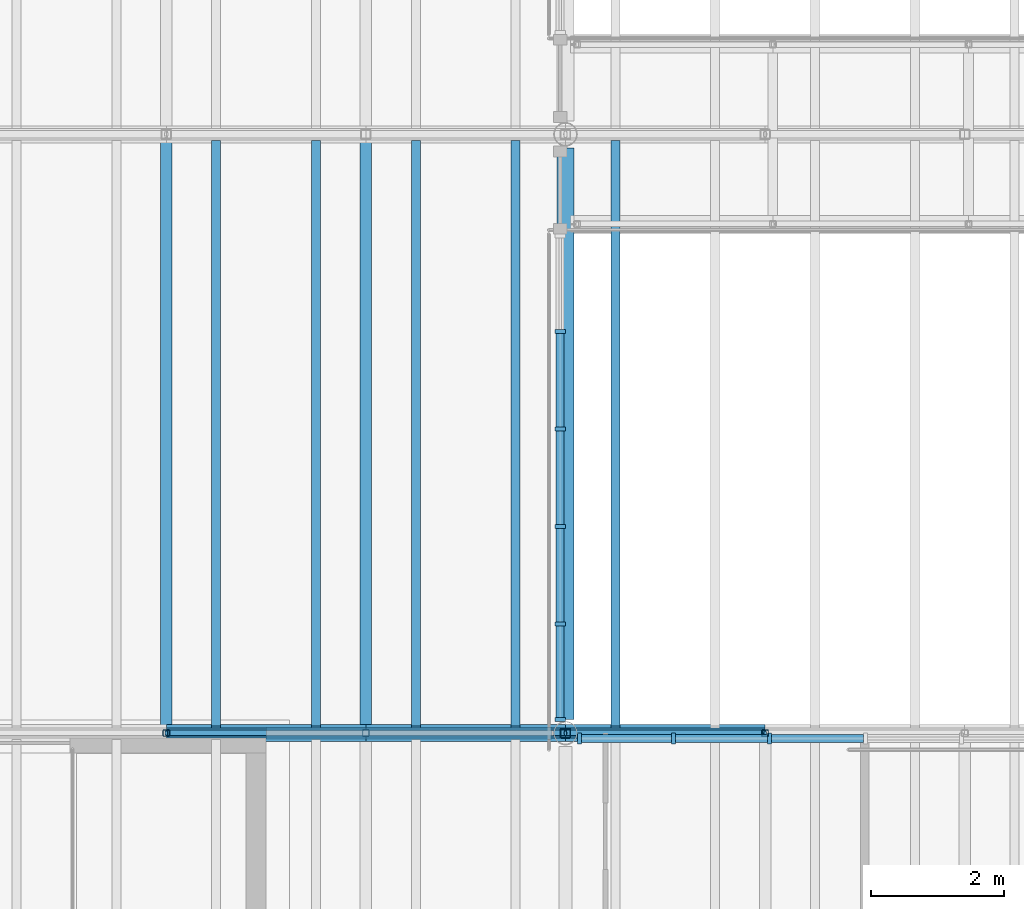
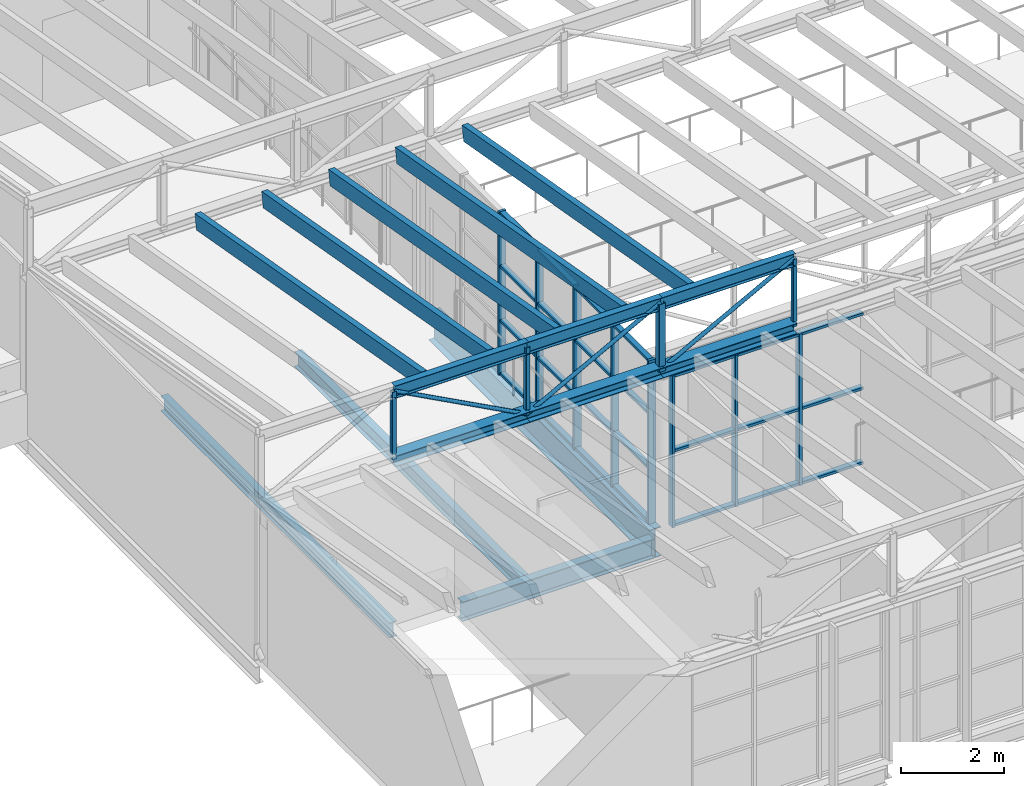
# One storey, part 8 of 44: 51 members, 4 beams, 2 elements without a shape of their own.
"""IFC4 building model written with IfcOpenShell, lengths in metres."""

from ifc_helpers import new_model, si_unit, direction, frame, origin, origin_2d, place, context, subcontext, project, spatial, rectangle, hollow_rectangle, hollow_circle, i_section, extrude, material, layer, layer_set, material_profile, profile_set, type_object, element, aggregate, save


model = new_model("IFC4")

# Units and contexts
model_context = context("Model", 3, precision=1e-05, world=origin(), true_north=direction((0.0, 1.0)))
body_context = subcontext(model_context, "Body", "Model", "MODEL_VIEW")
ifc_project = project(units=[si_unit("LENGTHUNIT", "METRE"), si_unit("AREAUNIT", "SQUARE_METRE"), si_unit("VOLUMEUNIT", "CUBIC_METRE"), si_unit("PLANEANGLEUNIT", "RADIAN"), si_unit("MASSUNIT", "GRAM", prefix="KILO")], contexts=[model_context])

# Site, building, storey
site_placement = place(None, origin())
site = spatial("IfcSite", under=ifc_project, at=site_placement, CompositionType="ELEMENT")
building_placement = place(site_placement, origin())
building = spatial("IfcBuilding", under=site, at=building_placement, Name="Halyard Row Museum", CompositionType="ELEMENT")
storey_placement = place(building_placement, frame((0.0, 0.0, 21.199951171875)))
storey = spatial("IfcBuildingStorey", under=building, at=storey_placement, Name="L04", CompositionType="ELEMENT", Elevation=21.199951171875)

# Beam
ifc_material_1 = material(Name="Steel Grade 300", Category="steel")
ifc_material_profile_1 = material_profile(ifc_material_1, i_section(OverallWidth=0.25, OverallDepth=0.699951171875, WebThickness=0.010009765625, FlangeThickness=0.02001953125, at=origin_2d()), Name="700WB130")
ifc_profile_set_1 = profile_set([ifc_material_profile_1], Name="Steel Grade 300")
beam_type_1 = type_object("IfcBeamType", Name="Bearing beam 700WB130", PredefinedType="BEAM", material=ifc_profile_set_1)
beam_1_placement = place(storey_placement, frame((81.0, 9.203125, -0.514892578125), z_axis=(0.0, 1.0, 0.0), x_axis=(-1.0, 0.0, 0.0)))
element("IfcBeam", 1, at=beam_1_placement, inside=storey, type_object=beam_type_1, Name="Beam L04-022", PredefinedType="BEAM", context=body_context, shape_type="SweptSolid", body=[
    extrude(i_section(OverallWidth=0.25, OverallDepth=0.699951171875, WebThickness=0.010009765625, FlangeThickness=0.02001953125, at=origin_2d()), origin(), (0.0, 0.0, 1.0), 8.59375),
])

# Curtain wall, members
ifc_material_2 = material(Name="Fire-resisting laminated glazing", Category="glass")
ifc_layer = layer(ifc_material_2, 0.159912109375)
ifc_layer_set = layer_set([ifc_layer], Name="Fire-resisting laminated glazing")
curtain_wall_type = type_object("IfcCurtainWallType", Name="Curtain wall atrium screen 160 deep", PredefinedType="NOTDEFINED", material=ifc_layer_set)
curtain_wall_1_placement = place(storey_placement, origin())
curtain_wall_1 = element("IfcCurtainWall", 2, at=curtain_wall_1_placement, inside=storey, type_object=curtain_wall_type, Name="Curtain wall CW102", PredefinedType="NOTDEFINED")
ifc_material_3 = material(Name="Powder-coated aluminium section", Category="aluminium")
ifc_material_profile_2 = material_profile(ifc_material_3, rectangle(XDim=0.159912109375, YDim=0.06005859375, at=origin_2d()), Name="160x60 mullion")
ifc_profile_set_2 = profile_set([ifc_material_profile_2], Name="Powder-coated aluminium section")
member_type_1 = type_object("IfcMemberType", Name="Curtain wall mullion CM5 60 x 160", PredefinedType="MULLION", material=ifc_profile_set_2)
member_1_placement = place(storey_placement, frame((81.207763671875, 8.919921875, 0.0), z_axis=(0.0, 0.0, 1.0), x_axis=(0.0, 1.0, 0.0)))
member_1 = element("IfcMember", 3, at=member_1_placement, type_object=member_type_1, Name="CW102 mullion 1", PredefinedType="MULLION", context=body_context, shape_type="SweptSolid", body=[
    extrude(rectangle(XDim=0.159912109375, YDim=0.06005859375, at=origin_2d()), origin(), (0.0, 0.0, 1.0), 3.60009765625),
])
member_2_placement = place(storey_placement, frame((82.62109375, 8.919921875, 0.0), z_axis=(0.0, 0.0, 1.0), x_axis=(0.0, 1.0, 0.0)))
member_2 = element("IfcMember", 4, at=member_2_placement, type_object=member_type_1, Name="CW102 mullion 2", PredefinedType="MULLION", context=body_context, shape_type="SweptSolid", body=[
    extrude(rectangle(XDim=0.159912109375, YDim=0.06005859375, at=origin_2d()), origin(), (0.0, 0.0, 1.0), 3.60009765625),
])
member_3_placement = place(storey_placement, frame((84.064453125, 8.919921875, 0.0), z_axis=(0.0, 0.0, 1.0), x_axis=(0.0, 1.0, 0.0)))
member_3 = element("IfcMember", 5, at=member_3_placement, type_object=member_type_1, Name="CW102 mullion 3", PredefinedType="MULLION", context=body_context, shape_type="SweptSolid", body=[
    extrude(rectangle(XDim=0.159912109375, YDim=0.06005859375, at=origin_2d()), origin(), (0.0, 0.0, 1.0), 3.60009765625),
])

curtain_wall_2_placement = place(storey_placement, origin())
curtain_wall_2 = element("IfcCurtainWall", 6, at=curtain_wall_2_placement, inside=storey, type_object=curtain_wall_type, Name="Curtain wall CW109", PredefinedType="NOTDEFINED")
member_4_placement = place(storey_placement, frame((80.919921875, 15.03564453125, 0.0), z_axis=(0.0, 0.0, 1.0), x_axis=(1.0, 0.0, 0.0)))
member_4 = element("IfcMember", 7, at=member_4_placement, type_object=member_type_1, Name="CW109 mullion 2", PredefinedType="MULLION", context=body_context, shape_type="SweptSolid", body=[
    extrude(rectangle(XDim=0.159912109375, YDim=0.06005859375, at=origin_2d()), origin(), (0.0, 0.0, 1.0), 3.878173828125),
])
member_5_placement = place(storey_placement, frame((80.919921875, 13.571044921875, 0.0), z_axis=(0.0, 0.0, 1.0), x_axis=(1.0, 0.0, 0.0)))
member_5 = element("IfcMember", 8, at=member_5_placement, type_object=member_type_1, Name="CW109 mullion 3", PredefinedType="MULLION", context=body_context, shape_type="SweptSolid", body=[
    extrude(rectangle(XDim=0.159912109375, YDim=0.06005859375, at=origin_2d()), origin(), (0.0, 0.0, 1.0), 3.878173828125),
])
member_6_placement = place(storey_placement, frame((80.919921875, 12.106689453125, 0.0), z_axis=(0.0, 0.0, 1.0), x_axis=(1.0, 0.0, 0.0)))
member_6 = element("IfcMember", 9, at=member_6_placement, type_object=member_type_1, Name="CW109 mullion 4", PredefinedType="MULLION", context=body_context, shape_type="SweptSolid", body=[
    extrude(rectangle(XDim=0.159912109375, YDim=0.06005859375, at=origin_2d()), origin(), (0.0, 0.0, 1.0), 3.878173828125),
])
member_7_placement = place(storey_placement, frame((80.919921875, 10.642333984375, 0.0), z_axis=(0.0, 0.0, 1.0), x_axis=(1.0, 0.0, 0.0)))
member_7 = element("IfcMember", 10, at=member_7_placement, type_object=member_type_1, Name="CW109 mullion 5", PredefinedType="MULLION", context=body_context, shape_type="SweptSolid", body=[
    extrude(rectangle(XDim=0.159912109375, YDim=0.06005859375, at=origin_2d()), origin(), (0.0, 0.0, 1.0), 3.878173828125),
])
member_8_placement = place(storey_placement, frame((80.919921875, 9.207763671875, 0.0), z_axis=(0.0, 0.0, 1.0), x_axis=(1.0, 0.0, 0.0)))
member_8 = element("IfcMember", 11, at=member_8_placement, type_object=member_type_1, Name="CW109 mullion 6", PredefinedType="MULLION", context=body_context, shape_type="SweptSolid", body=[
    extrude(rectangle(XDim=0.159912109375, YDim=0.06005859375, at=origin_2d()), origin(), (0.0, 0.0, 1.0), 3.878173828125),
])

# Member
ifc_material_4 = material(Name="Powder-coated aluminium section", Category="aluminium")
ifc_material_profile_3 = material_profile(ifc_material_4, rectangle(XDim=0.1201171875, YDim=0.06005859375, at=origin_2d()), Name="120x60 transom")
ifc_profile_set_3 = profile_set([ifc_material_profile_3], Name="Powder-coated aluminium section")
member_type_2 = type_object("IfcMemberType", Name="Curtain wall transom CT5 60 x 120", PredefinedType="USERDEFINED", material=ifc_profile_set_3)
member_9_placement = place(storey_placement, frame((81.23779296875, 8.919921875, 0.030029296875), z_axis=(1.0, 0.0, 0.0), x_axis=(0.0, 1.0, 0.0)))
member_9 = element("IfcMember", 12, at=member_9_placement, type_object=member_type_2, Name="CW102 transom 1.1", ObjectType="TRANSOM", PredefinedType="USERDEFINED", context=body_context, shape_type="SweptSolid", body=[
    extrude(rectangle(XDim=0.1201171875, YDim=0.06005859375, at=origin_2d()), origin(), (0.0, 0.0, 1.0), 1.353271484375),
])

member_10_placement = place(storey_placement, frame((81.23779296875, 8.919921875, 1.800048828125), z_axis=(1.0, 0.0, 0.0), x_axis=(0.0, 1.0, 0.0)))
member_10 = element("IfcMember", 13, at=member_10_placement, type_object=member_type_2, Name="CW102 transom 1.2", ObjectType="TRANSOM", PredefinedType="USERDEFINED", context=body_context, shape_type="SweptSolid", body=[
    extrude(rectangle(XDim=0.1201171875, YDim=0.06005859375, at=origin_2d()), origin(), (0.0, 0.0, 1.0), 1.353271484375),
])

member_11_placement = place(storey_placement, frame((81.23779296875, 8.919921875, 3.570068359375), z_axis=(1.0, 0.0, 0.0), x_axis=(0.0, 1.0, 0.0)))
member_11 = element("IfcMember", 14, at=member_11_placement, type_object=member_type_2, Name="CW102 transom 1.3", ObjectType="TRANSOM", PredefinedType="USERDEFINED", context=body_context, shape_type="SweptSolid", body=[
    extrude(rectangle(XDim=0.1201171875, YDim=0.06005859375, at=origin_2d()), origin(), (0.0, 0.0, 1.0), 1.353271484375),
])

member_12_placement = place(storey_placement, frame((82.651123046875, 8.919921875, 0.030029296875), z_axis=(1.0, 0.0, 0.0), x_axis=(0.0, 1.0, 0.0)))
member_12 = element("IfcMember", 15, at=member_12_placement, type_object=member_type_2, Name="CW102 transom 2.1", ObjectType="TRANSOM", PredefinedType="USERDEFINED", context=body_context, shape_type="SweptSolid", body=[
    extrude(rectangle(XDim=0.1201171875, YDim=0.06005859375, at=origin_2d()), origin(), (0.0, 0.0, 1.0), 1.383544921875),
])

member_13_placement = place(storey_placement, frame((82.651123046875, 8.919921875, 1.800048828125), z_axis=(1.0, 0.0, 0.0), x_axis=(0.0, 1.0, 0.0)))
member_13 = element("IfcMember", 16, at=member_13_placement, type_object=member_type_2, Name="CW102 transom 2.2", ObjectType="TRANSOM", PredefinedType="USERDEFINED", context=body_context, shape_type="SweptSolid", body=[
    extrude(rectangle(XDim=0.1201171875, YDim=0.06005859375, at=origin_2d()), origin(), (0.0, 0.0, 1.0), 1.383544921875),
])

member_14_placement = place(storey_placement, frame((82.651123046875, 8.919921875, 3.570068359375), z_axis=(1.0, 0.0, 0.0), x_axis=(0.0, 1.0, 0.0)))
member_14 = element("IfcMember", 17, at=member_14_placement, type_object=member_type_2, Name="CW102 transom 2.3", ObjectType="TRANSOM", PredefinedType="USERDEFINED", context=body_context, shape_type="SweptSolid", body=[
    extrude(rectangle(XDim=0.1201171875, YDim=0.06005859375, at=origin_2d()), origin(), (0.0, 0.0, 1.0), 1.383544921875),
])

member_15_placement = place(storey_placement, frame((84.094482421875, 8.919921875, 0.030029296875), z_axis=(1.0, 0.0, 0.0), x_axis=(0.0, 1.0, 0.0)))
member_15 = element("IfcMember", 18, at=member_15_placement, type_object=member_type_2, Name="CW102 transom 3.1", ObjectType="TRANSOM", PredefinedType="USERDEFINED", context=body_context, shape_type="SweptSolid", body=[
    extrude(rectangle(XDim=0.1201171875, YDim=0.06005859375, at=origin_2d()), origin(), (0.0, 0.0, 1.0), 1.383544921875),
])

member_16_placement = place(storey_placement, frame((84.094482421875, 8.919921875, 1.800048828125), z_axis=(1.0, 0.0, 0.0), x_axis=(0.0, 1.0, 0.0)))
member_16 = element("IfcMember", 19, at=member_16_placement, type_object=member_type_2, Name="CW102 transom 3.2", ObjectType="TRANSOM", PredefinedType="USERDEFINED", context=body_context, shape_type="SweptSolid", body=[
    extrude(rectangle(XDim=0.1201171875, YDim=0.06005859375, at=origin_2d()), origin(), (0.0, 0.0, 1.0), 1.383544921875),
])

member_17_placement = place(storey_placement, frame((84.094482421875, 8.919921875, 3.570068359375), z_axis=(1.0, 0.0, 0.0), x_axis=(0.0, 1.0, 0.0)))
member_17 = element("IfcMember", 20, at=member_17_placement, type_object=member_type_2, Name="CW102 transom 3.3", ObjectType="TRANSOM", PredefinedType="USERDEFINED", context=body_context, shape_type="SweptSolid", body=[
    extrude(rectangle(XDim=0.1201171875, YDim=0.06005859375, at=origin_2d()), origin(), (0.0, 0.0, 1.0), 1.383544921875),
])

aggregate(curtain_wall_1, [member_1, member_2, member_3, member_9, member_10, member_11, member_12, member_13, member_14, member_15, member_16, member_17])

member_18_placement = place(storey_placement, frame((80.919921875, 15.005615234375, 0.030029296875), z_axis=(0.0, -1.0, 0.0), x_axis=(1.0, 0.0, 0.0)))
member_18 = element("IfcMember", 21, at=member_18_placement, type_object=member_type_2, Name="CW109 transom 2.1", ObjectType="TRANSOM", PredefinedType="USERDEFINED", context=body_context, shape_type="SweptSolid", body=[
    extrude(rectangle(XDim=0.1201171875, YDim=0.06005859375, at=origin_2d()), origin(), (0.0, 0.0, 1.0), 1.404541015625),
])

member_19_placement = place(storey_placement, frame((80.919921875, 15.005615234375, 1.292724609375), z_axis=(0.0, -1.0, 0.0), x_axis=(1.0, 0.0, 0.0)))
member_19 = element("IfcMember", 22, at=member_19_placement, type_object=member_type_2, Name="CW109 transom 2.2", ObjectType="TRANSOM", PredefinedType="USERDEFINED", context=body_context, shape_type="SweptSolid", body=[
    extrude(rectangle(XDim=0.1201171875, YDim=0.06005859375, at=origin_2d()), origin(), (0.0, 0.0, 1.0), 1.404541015625),
])

member_20_placement = place(storey_placement, frame((80.919921875, 15.005615234375, 2.58544921875), z_axis=(0.0, -1.0, 0.0), x_axis=(1.0, 0.0, 0.0)))
member_20 = element("IfcMember", 23, at=member_20_placement, type_object=member_type_2, Name="CW109 transom 2.3", ObjectType="TRANSOM", PredefinedType="USERDEFINED", context=body_context, shape_type="SweptSolid", body=[
    extrude(rectangle(XDim=0.1201171875, YDim=0.06005859375, at=origin_2d()), origin(), (0.0, 0.0, 1.0), 1.404541015625),
])

member_21_placement = place(storey_placement, frame((80.919921875, 15.005615234375, 3.84814453125), z_axis=(0.0, -1.0, 0.0), x_axis=(1.0, 0.0, 0.0)))
member_21 = element("IfcMember", 24, at=member_21_placement, type_object=member_type_2, Name="CW109 transom 2.4", ObjectType="TRANSOM", PredefinedType="USERDEFINED", context=body_context, shape_type="SweptSolid", body=[
    extrude(rectangle(XDim=0.1201171875, YDim=0.06005859375, at=origin_2d()), origin(), (0.0, 0.0, 1.0), 1.404541015625),
])

member_22_placement = place(storey_placement, frame((80.919921875, 13.541015625, 0.030029296875), z_axis=(0.0, -1.0, 0.0), x_axis=(1.0, 0.0, 0.0)))
member_22 = element("IfcMember", 25, at=member_22_placement, type_object=member_type_2, Name="CW109 transom 3.1", ObjectType="TRANSOM", PredefinedType="USERDEFINED", context=body_context, shape_type="SweptSolid", body=[
    extrude(rectangle(XDim=0.1201171875, YDim=0.06005859375, at=origin_2d()), origin(), (0.0, 0.0, 1.0), 1.404296875),
])

member_23_placement = place(storey_placement, frame((80.919921875, 13.541015625, 1.292724609375), z_axis=(0.0, -1.0, 0.0), x_axis=(1.0, 0.0, 0.0)))
member_23 = element("IfcMember", 26, at=member_23_placement, type_object=member_type_2, Name="CW109 transom 3.2", ObjectType="TRANSOM", PredefinedType="USERDEFINED", context=body_context, shape_type="SweptSolid", body=[
    extrude(rectangle(XDim=0.1201171875, YDim=0.06005859375, at=origin_2d()), origin(), (0.0, 0.0, 1.0), 1.404296875),
])

member_24_placement = place(storey_placement, frame((80.919921875, 13.541015625, 2.58544921875), z_axis=(0.0, -1.0, 0.0), x_axis=(1.0, 0.0, 0.0)))
member_24 = element("IfcMember", 27, at=member_24_placement, type_object=member_type_2, Name="CW109 transom 3.3", ObjectType="TRANSOM", PredefinedType="USERDEFINED", context=body_context, shape_type="SweptSolid", body=[
    extrude(rectangle(XDim=0.1201171875, YDim=0.06005859375, at=origin_2d()), origin(), (0.0, 0.0, 1.0), 1.404296875),
])

member_25_placement = place(storey_placement, frame((80.919921875, 13.541015625, 3.84814453125), z_axis=(0.0, -1.0, 0.0), x_axis=(1.0, 0.0, 0.0)))
member_25 = element("IfcMember", 28, at=member_25_placement, type_object=member_type_2, Name="CW109 transom 3.4", ObjectType="TRANSOM", PredefinedType="USERDEFINED", context=body_context, shape_type="SweptSolid", body=[
    extrude(rectangle(XDim=0.1201171875, YDim=0.06005859375, at=origin_2d()), origin(), (0.0, 0.0, 1.0), 1.404296875),
])

member_26_placement = place(storey_placement, frame((80.919921875, 12.07666015625, 0.030029296875), z_axis=(0.0, -1.0, 0.0), x_axis=(1.0, 0.0, 0.0)))
member_26 = element("IfcMember", 29, at=member_26_placement, type_object=member_type_2, Name="CW109 transom 4.1", ObjectType="TRANSOM", PredefinedType="USERDEFINED", context=body_context, shape_type="SweptSolid", body=[
    extrude(rectangle(XDim=0.1201171875, YDim=0.06005859375, at=origin_2d()), origin(), (0.0, 0.0, 1.0), 1.404541015625),
])

member_27_placement = place(storey_placement, frame((80.919921875, 12.07666015625, 1.292724609375), z_axis=(0.0, -1.0, 0.0), x_axis=(1.0, 0.0, 0.0)))
member_27 = element("IfcMember", 30, at=member_27_placement, type_object=member_type_2, Name="CW109 transom 4.2", ObjectType="TRANSOM", PredefinedType="USERDEFINED", context=body_context, shape_type="SweptSolid", body=[
    extrude(rectangle(XDim=0.1201171875, YDim=0.06005859375, at=origin_2d()), origin(), (0.0, 0.0, 1.0), 1.404541015625),
])

member_28_placement = place(storey_placement, frame((80.919921875, 12.07666015625, 2.58544921875), z_axis=(0.0, -1.0, 0.0), x_axis=(1.0, 0.0, 0.0)))
member_28 = element("IfcMember", 31, at=member_28_placement, type_object=member_type_2, Name="CW109 transom 4.3", ObjectType="TRANSOM", PredefinedType="USERDEFINED", context=body_context, shape_type="SweptSolid", body=[
    extrude(rectangle(XDim=0.1201171875, YDim=0.06005859375, at=origin_2d()), origin(), (0.0, 0.0, 1.0), 1.404541015625),
])

member_29_placement = place(storey_placement, frame((80.919921875, 12.07666015625, 3.84814453125), z_axis=(0.0, -1.0, 0.0), x_axis=(1.0, 0.0, 0.0)))
member_29 = element("IfcMember", 32, at=member_29_placement, type_object=member_type_2, Name="CW109 transom 4.4", ObjectType="TRANSOM", PredefinedType="USERDEFINED", context=body_context, shape_type="SweptSolid", body=[
    extrude(rectangle(XDim=0.1201171875, YDim=0.06005859375, at=origin_2d()), origin(), (0.0, 0.0, 1.0), 1.404541015625),
])

member_30_placement = place(storey_placement, frame((80.919921875, 10.6123046875, 0.030029296875), z_axis=(0.0, -1.0, 0.0), x_axis=(1.0, 0.0, 0.0)))
member_30 = element("IfcMember", 33, at=member_30_placement, type_object=member_type_2, Name="CW109 transom 5.1", ObjectType="TRANSOM", PredefinedType="USERDEFINED", context=body_context, shape_type="SweptSolid", body=[
    extrude(rectangle(XDim=0.1201171875, YDim=0.06005859375, at=origin_2d()), origin(), (0.0, 0.0, 1.0), 1.37451171875),
])

member_31_placement = place(storey_placement, frame((80.919921875, 10.6123046875, 1.292724609375), z_axis=(0.0, -1.0, 0.0), x_axis=(1.0, 0.0, 0.0)))
member_31 = element("IfcMember", 34, at=member_31_placement, type_object=member_type_2, Name="CW109 transom 5.2", ObjectType="TRANSOM", PredefinedType="USERDEFINED", context=body_context, shape_type="SweptSolid", body=[
    extrude(rectangle(XDim=0.1201171875, YDim=0.06005859375, at=origin_2d()), origin(), (0.0, 0.0, 1.0), 1.37451171875),
])

member_32_placement = place(storey_placement, frame((80.919921875, 10.6123046875, 2.58544921875), z_axis=(0.0, -1.0, 0.0), x_axis=(1.0, 0.0, 0.0)))
member_32 = element("IfcMember", 35, at=member_32_placement, type_object=member_type_2, Name="CW109 transom 5.3", ObjectType="TRANSOM", PredefinedType="USERDEFINED", context=body_context, shape_type="SweptSolid", body=[
    extrude(rectangle(XDim=0.1201171875, YDim=0.06005859375, at=origin_2d()), origin(), (0.0, 0.0, 1.0), 1.37451171875),
])

member_33_placement = place(storey_placement, frame((80.919921875, 10.6123046875, 3.84814453125), z_axis=(0.0, -1.0, 0.0), x_axis=(1.0, 0.0, 0.0)))
member_33 = element("IfcMember", 36, at=member_33_placement, type_object=member_type_2, Name="CW109 transom 5.4", ObjectType="TRANSOM", PredefinedType="USERDEFINED", context=body_context, shape_type="SweptSolid", body=[
    extrude(rectangle(XDim=0.1201171875, YDim=0.06005859375, at=origin_2d()), origin(), (0.0, 0.0, 1.0), 1.37451171875),
])

aggregate(curtain_wall_2, [member_4, member_5, member_6, member_7, member_8, member_18, member_19, member_20, member_21, member_22, member_23, member_24, member_25, member_26, member_27, member_28, member_29, member_30, member_31, member_32, member_33])

# Beam
ifc_material_5 = material(Name="Steel Grade 300", Category="steel")
ifc_material_profile_4 = material_profile(ifc_material_5, i_section(OverallWidth=0.19091796875, OverallDepth=0.46044921875, WebThickness=0.010009765625, FlangeThickness=0.01611328125, FilletRadius=0.011474609375, at=origin_2d()), Name="460UB82.1")
ifc_profile_set_4 = profile_set([ifc_material_profile_4], Name="Steel Grade 300")
beam_type_2 = type_object("IfcBeamType", Name="Girder beam 460UB82.1", PredefinedType="BEAM", material=ifc_profile_set_4)
beam_2_placement = place(storey_placement, frame((76.5, 9.0, -0.395263671875), z_axis=(1.0, 0.0, 0.0), x_axis=(0.0, 1.0, 0.0)))
element("IfcBeam", 37, at=beam_2_placement, inside=storey, type_object=beam_type_2, Name="Beam L04-005", PredefinedType="BEAM", context=body_context, shape_type="SweptSolid", body=[
    extrude(i_section(OverallWidth=0.19091796875, OverallDepth=0.46044921875, WebThickness=0.010009765625, FlangeThickness=0.01611328125, FilletRadius=0.011474609375, at=origin_2d()), origin(), (0.0, 0.0, 1.0), 4.296875),
])

# Members
ifc_material_6 = material(Name="Glulam GL12 radiata pine", Category="wood")
ifc_material_profile_5 = material_profile(ifc_material_6, rectangle(XDim=0.135009765625, YDim=0.360107421875, at=origin_2d()), Name="GL12 135x360")
ifc_profile_set_5 = profile_set([ifc_material_profile_5], Name="Glulam GL12 radiata pine")
member_type_3 = type_object("IfcMemberType", Name="Rafter GL12 135x360", PredefinedType="RAFTER", material=ifc_profile_set_5)
for number, where, z_axis, x_axis, name in (
    (38, (75.75, 9.074462890625, 5.283935546875), (0.0, 0.984563554103, -0.17502744908), (-1.0, 0.0, 0.0), "Rafter V2-T2a.3"),
    (39, (77.25, 9.074462890625, 5.283935546875), (0.0, 0.984563554103, -0.17502744908), (-1.0, 0.0, 0.0), "Rafter V2-T2a.4"),
    (40, (78.75, 9.074462890625, 5.283935546875), (0.0, 0.984563554103, -0.17502744908), (-1.0, 0.0, 0.0), "Rafter V2-T2a.5"),
    (41, (80.25, 9.074462890625, 5.283935546875), (0.0, 0.984563554103, -0.17502744908), (-1.0, 0.0, 0.0), "Rafter V2-T2a.6"),
    (42, (81.75, 9.074462890625, 5.283935546875), (0.0, 0.984563554103, -0.17502744908), (-1.0, 0.0, 0.0), "Rafter V2-T2b.1"),
):
    element("IfcMember", number, at=place(storey_placement, frame(where, z_axis=z_axis, x_axis=x_axis)), inside=storey, type_object=member_type_3, Name=name, PredefinedType="RAFTER", context=body_context, shape_type="SweptSolid", body=[
        extrude(rectangle(XDim=0.135009765625, YDim=0.360107421875, at=origin_2d()), origin(), (0.0, 0.0, 1.0), 8.935546875),
    ])

# Beams
ifc_material_7 = material(Name="Steel Grade 300", Category="steel")
ifc_material_profile_6 = material_profile(ifc_material_7, i_section(OverallWidth=0.1708984375, OverallDepth=0.355712890625, WebThickness=0.00732421875, FlangeThickness=0.011474609375, FilletRadius=0.011474609375, at=origin_2d()), Name="360UB50.7")
ifc_profile_set_6 = profile_set([ifc_material_profile_6], Name="Steel Grade 300")
beam_type_3 = type_object("IfcBeamType", Name="Secondary beam 360UB50.7", PredefinedType="BEAM", material=ifc_profile_set_6)
beam_3_placement = place(storey_placement, frame((75.0, 9.0, -0.3427734375), z_axis=(0.0, 1.0, 0.0), x_axis=(-1.0, 0.0, 0.0)))
element("IfcBeam", 43, at=beam_3_placement, inside=storey, type_object=beam_type_3, Name="Beam L04-039", PredefinedType="BEAM", context=body_context, shape_type="SweptSolid", body=[
    extrude(i_section(OverallWidth=0.1708984375, OverallDepth=0.355712890625, WebThickness=0.00732421875, FlangeThickness=0.011474609375, FilletRadius=0.011474609375, at=origin_2d()), origin(), (0.0, 0.0, 1.0), 8.904541015625),
])
beam_4_placement = place(storey_placement, frame((78.0, 9.095458984375, -0.3427734375), z_axis=(0.0, 1.0, 0.0), x_axis=(-1.0, 0.0, 0.0)))
element("IfcBeam", 44, at=beam_4_placement, inside=storey, type_object=beam_type_3, Name="Beam L04-041", PredefinedType="BEAM", context=body_context, shape_type="SweptSolid", body=[
    extrude(i_section(OverallWidth=0.1708984375, OverallDepth=0.355712890625, WebThickness=0.00732421875, FlangeThickness=0.011474609375, FilletRadius=0.011474609375, at=origin_2d()), origin(), (0.0, 0.0, 1.0), 8.80908203125),
])

# Members
ifc_material_8 = material(Name="Steel Grade 300", Category="steel")
ifc_material_profile_7 = material_profile(ifc_material_8, i_section(OverallWidth=0.25390625, OverallDepth=0.25390625, WebThickness=0.008544921875, FlangeThickness=0.01416015625, FilletRadius=0.013916015625, at=origin_2d()), Name="250UC72.9")
ifc_profile_set_7 = profile_set([ifc_material_profile_7], Name="Steel Grade 300")
member_type_4 = type_object("IfcMemberType", Name="Valley truss bottom chord 250UC72.9", PredefinedType="CHORD", material=ifc_profile_set_7)
for number, where, z_axis, x_axis, name in (
    (45, (75.0, 9.0, 3.72705078125), (1.0, 0.0, 0.0), (0.0, 1.0, 0.0), "V2-VT2 bottom chord 1.2"),
    (46, (78.0, 9.0, 3.72705078125), (1.0, 0.0, 0.0), (0.0, 1.0, 0.0), "V2-VT2 bottom chord 1.3"),
    (47, (81.0, 9.0, 3.72705078125), (1.0, 0.0, 0.0), (0.0, 1.0, 0.0), "V2-VT2 bottom chord 2.1"),
):
    element("IfcMember", number, at=place(storey_placement, frame(where, z_axis=z_axis, x_axis=x_axis)), inside=storey, type_object=member_type_4, Name=name, PredefinedType="CHORD", context=body_context, shape_type="SweptSolid", body=[
        extrude(i_section(OverallWidth=0.25390625, OverallDepth=0.25390625, WebThickness=0.008544921875, FlangeThickness=0.01416015625, FilletRadius=0.013916015625, at=origin_2d()), origin(), (0.0, 0.0, 1.0), 3.0),
    ])
ifc_material_9 = material(Name="Steel Grade C250L0", Category="steel")
ifc_material_profile_8 = material_profile(ifc_material_9, hollow_circle(Radius=0.04443359375, WallThickness=0.0048828125, at=origin_2d()), Name="88.9x5.0CHS")
ifc_profile_set_8 = profile_set([ifc_material_profile_8], Name="Steel Grade C250L0")
member_type_5 = type_object("IfcMemberType", Name="Valley truss diagonal 88.9x5.0CHS", PredefinedType="BRACE", material=ifc_profile_set_8)
for number, where, z_axis, x_axis, name in (
    (48, (75.0, 9.0, 5.3310546875), (0.881863759518, 0.0, -0.471504305016), (0.0, 1.0, 0.0), "V2-VT2 diagonal 1.2"),
    (49, (78.0, 9.0, 3.72705078125), (0.881863759518, 0.0, 0.471504305016), (0.0, 1.0, 0.0), "V2-VT2 diagonal 1.3"),
    (50, (81.0, 9.0, 3.72705078125), (0.881863759518, 0.0, 0.471504305016), (0.0, 1.0, 0.0), "V2-VT2 diagonal 2.1"),
):
    element("IfcMember", number, at=place(storey_placement, frame(where, z_axis=z_axis, x_axis=x_axis)), inside=storey, type_object=member_type_5, Name=name, PredefinedType="BRACE", context=body_context, shape_type="SweptSolid", body=[
        extrude(hollow_circle(Radius=0.04443359375, WallThickness=0.0048828125, at=origin_2d()), origin(), (0.0, 0.0, 1.0), 3.40185546875),
    ])
ifc_material_10 = material(Name="Steel Grade C350L0", Category="steel")
ifc_material_profile_9 = material_profile(ifc_material_10, hollow_rectangle(XDim=0.10009765625, YDim=0.10009765625, WallThickness=0.006103515625, InnerFilletRadius=0.009033203125, OuterFilletRadius=0.014892578125, at=origin_2d()), Name="100x100x6.0SHS")
ifc_profile_set_9 = profile_set([ifc_material_profile_9], Name="Steel Grade C350L0")
member_type_6 = type_object("IfcMemberType", Name="Valley truss post 100x100x6.0SHS", PredefinedType="POST", material=ifc_profile_set_9)
for number, where, z_axis, x_axis, name in (
    (51, (75.0, 9.0, 3.72705078125), (0.0, 0.0, 1.0), (1.0, 0.0, 0.0), "V2-VT2 post 1.1"),
    (52, (78.0, 9.0, 3.72705078125), (0.0, 0.0, 1.0), (1.0, 0.0, 0.0), "V2-VT2 post 1.2"),
    (53, (84.0, 9.0, 3.72705078125), (0.0, 0.0, 1.0), (1.0, 0.0, 0.0), "V2-VT2 post 2.1"),
):
    element("IfcMember", number, at=place(storey_placement, frame(where, z_axis=z_axis, x_axis=x_axis)), inside=storey, type_object=member_type_6, Name=name, PredefinedType="POST", context=body_context, shape_type="SweptSolid", body=[
        extrude(hollow_rectangle(XDim=0.10009765625, YDim=0.10009765625, WallThickness=0.006103515625, InnerFilletRadius=0.009033203125, OuterFilletRadius=0.014892578125, at=origin_2d()), origin(), (0.0, 0.0, 1.0), 1.60400390625),
    ])
ifc_material_11 = material(Name="Steel Grade C350L0", Category="steel")
ifc_material_profile_10 = material_profile(ifc_material_11, hollow_rectangle(XDim=0.14990234375, YDim=0.14990234375, WallThickness=0.006103515625, InnerFilletRadius=0.009033203125, OuterFilletRadius=0.014892578125, at=origin_2d()), Name="150x150x6.0SHS")
ifc_profile_set_10 = profile_set([ifc_material_profile_10], Name="Steel Grade C350L0")
member_type_7 = type_object("IfcMemberType", Name="Valley truss post 150x150x6.0SHS", PredefinedType="POST", material=ifc_profile_set_10)
member_34_placement = place(storey_placement, frame((81.0, 9.0, 3.72705078125), z_axis=(0.0, 0.0, 1.0), x_axis=(1.0, 0.0, 0.0)))
element("IfcMember", 54, at=member_34_placement, inside=storey, type_object=member_type_7, Name="V2-VT2 post 1.3", PredefinedType="POST", context=body_context, shape_type="SweptSolid", body=[
    extrude(hollow_rectangle(XDim=0.14990234375, YDim=0.14990234375, WallThickness=0.006103515625, InnerFilletRadius=0.009033203125, OuterFilletRadius=0.014892578125, at=origin_2d()), origin(), (0.0, 0.0, 1.0), 1.60400390625),
])
ifc_material_12 = material(Name="Steel Grade 300", Category="steel")
ifc_material_profile_11 = material_profile(ifc_material_12, i_section(OverallWidth=0.14892578125, OverallDepth=0.298095703125, WebThickness=0.005615234375, FlangeThickness=0.008056640625, FilletRadius=0.012939453125, at=origin_2d()), Name="310UB32.0")
ifc_profile_set_11 = profile_set([ifc_material_profile_11], Name="Steel Grade 300")
member_type_8 = type_object("IfcMemberType", Name="Valley truss top chord 310UB32.0", PredefinedType="CHORD", material=ifc_profile_set_11)
for number, where, z_axis, x_axis, name in (
    (55, (75.0, 9.0, 5.3310546875), (1.0, 0.0, 0.0), (0.0, 1.0, 0.0), "V2-VT2 top chord 1.2"),
    (56, (78.0, 9.0, 5.3310546875), (1.0, 0.0, 0.0), (0.0, 1.0, 0.0), "V2-VT2 top chord 1.3"),
    (57, (81.0, 9.0, 5.3310546875), (1.0, 0.0, 0.0), (0.0, 1.0, 0.0), "V2-VT2 top chord 2.1"),
):
    element("IfcMember", number, at=place(storey_placement, frame(where, z_axis=z_axis, x_axis=x_axis)), inside=storey, type_object=member_type_8, Name=name, PredefinedType="CHORD", context=body_context, shape_type="SweptSolid", body=[
        extrude(i_section(OverallWidth=0.14892578125, OverallDepth=0.298095703125, WebThickness=0.005615234375, FlangeThickness=0.008056640625, FilletRadius=0.012939453125, at=origin_2d()), origin(), (0.0, 0.0, 1.0), 3.0),
    ])

save(model, "model.ifc")
